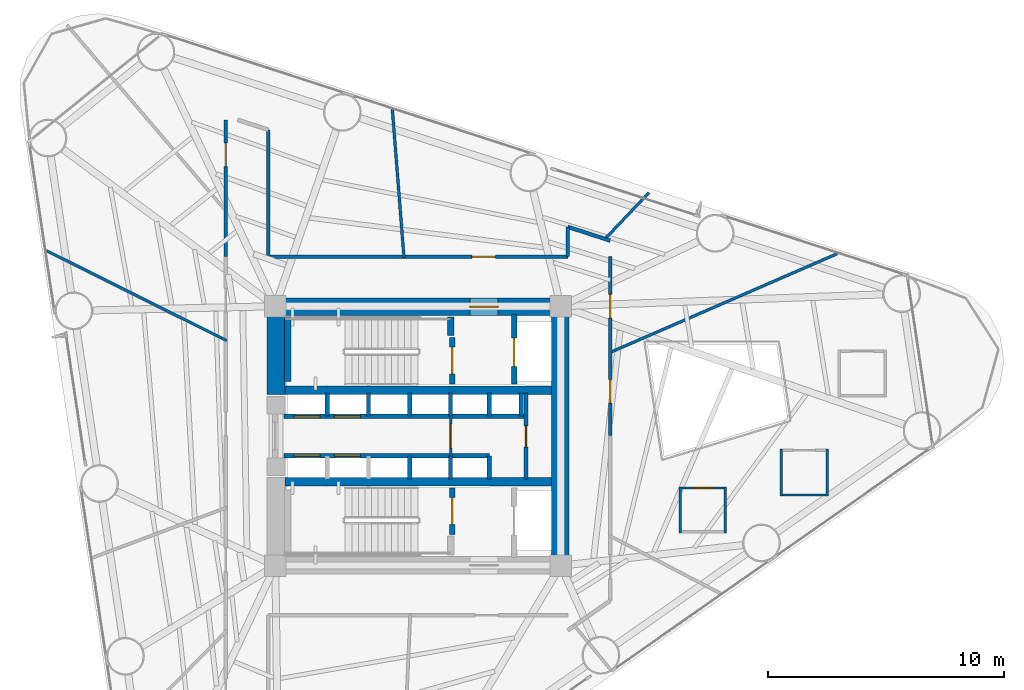
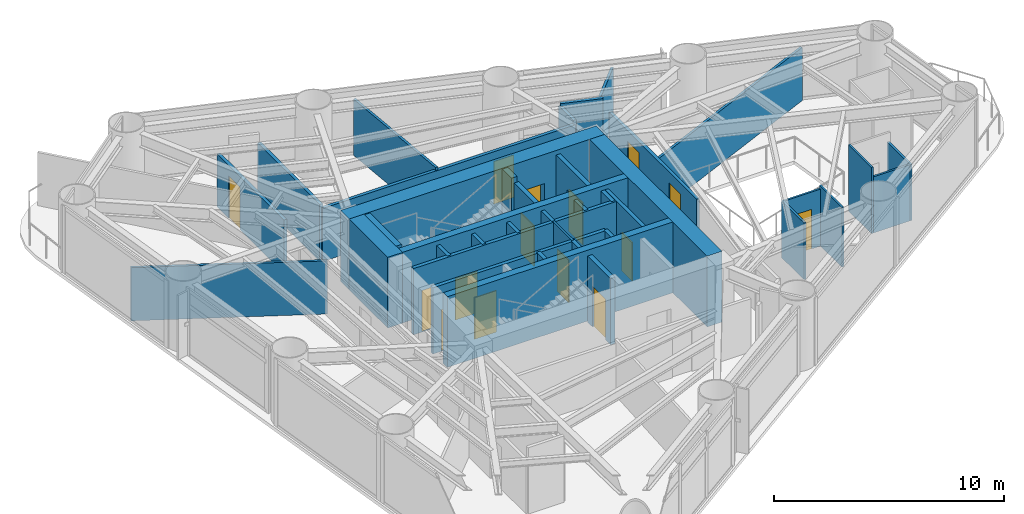
# One storey, part 6 of 9: 39 walls, 15 doors, 15 openings.
"""IFC4 building model written with IfcOpenShell, lengths in metres."""

from ifc_helpers import new_model, si_unit, direction, frame, frame_2d, origin, place, context, subcontext, project, spatial, rectangle, extrude, material, layer, layer_set, type_object, element, fill, save


model = new_model("IFC4")

# Units and contexts
model_context = context("Model", 3, precision=1e-05, world=origin(), true_north=direction((0.0, 1.0)))
body_context = subcontext(model_context, "Body", "Model", "MODEL_VIEW")
ifc_project = project(units=[si_unit("LENGTHUNIT", "METRE"), si_unit("AREAUNIT", "SQUARE_METRE"), si_unit("VOLUMEUNIT", "CUBIC_METRE"), si_unit("PLANEANGLEUNIT", "RADIAN"), si_unit("MASSUNIT", "GRAM", prefix="KILO")], contexts=[model_context])

# Site, building, storey
site_placement = place(None, origin())
site = spatial("IfcSite", under=ifc_project, at=site_placement, CompositionType="ELEMENT")
building_placement = place(site_placement, origin())
building = spatial("IfcBuilding", under=site, at=building_placement, Name="Yunling Apex Tower", CompositionType="ELEMENT")
storey_placement = place(building_placement, frame((0.0, 0.0, 81.050048828125)))
storey = spatial("IfcBuildingStorey", under=building, at=storey_placement, Name="L21", CompositionType="ELEMENT", Elevation=81.050048828125)

# Wall, opening, door
ifc_material_1 = material(Name="Concrete C60", Category="concrete")
ifc_layer_1 = layer(ifc_material_1, 0.75)
ifc_layer_set_1 = layer_set([ifc_layer_1], Name="Concrete C60")
wall_type_1 = type_object("IfcWallType", Name="WL-COR-1", PredefinedType="SHEAR", material=ifc_layer_set_1)
wall_1_placement = place(storey_placement, frame((-6.39990234375, 5.47509765625, 0.0), z_axis=(0.0, 0.0, 1.0), x_axis=(1.0, 0.0, 0.0)))
wall_1 = element("IfcWall", 1, at=wall_1_placement, inside=storey, type_object=wall_type_1, Name="L21 North Core Shear Wall", PredefinedType="SHEAR", context=body_context, shape_type="SweptSolid", body=[
    extrude(rectangle(XDim=12.7998046875, YDim=0.75, at=frame_2d((6.39990234375, 0.0))), origin(), (0.0, 0.0, 1.0), 3.75),
])
opening_1_placement = place(wall_1_placement, frame((8.60009765625, 0.0, 0.0)))
opening_1 = element("IfcOpeningElement", 2, at=opening_1_placement, cuts=wall_1, Name="Opening DR-FFL-1", PredefinedType="OPENING", context=body_context, shape_type="SweptSolid", body=[
    extrude(rectangle(XDim=1.199951171875, YDim=2.199951171875, at=frame_2d((0.60009765625, 1.10009765625))), frame((0.0, 0.385009765625, 0.0), z_axis=(0.0, -1.0, 0.0), x_axis=(1.0, 0.0, 0.0)), (0.0, 0.0, 1.0), 0.77001953125),
])
ifc_material_2 = material(Name="Steel Q355B", Category="steel")
door_type_1 = type_object("IfcDoorType", Name="DR-FFL-1", OperationType="NOTDEFINED", PredefinedType="DOOR", material=ifc_material_2)
door_1_placement = place(opening_1_placement, origin())
door_1 = element("IfcDoor", 3, at=door_1_placement, inside=storey, type_object=door_type_1, Name="L21 North Firefighting Lobby Door", OperationType="SINGLE_SWING_LEFT", OverallHeight=2.199951171875, OverallWidth=1.199951171875, PredefinedType="DOOR", context=body_context, shape_type="SweptSolid", body=[
    extrude(rectangle(XDim=1.199951171875, YDim=2.199951171875, at=frame_2d((0.60009765625, 1.10009765625))), frame((0.0, 0.02490234375, 0.0), z_axis=(0.0, -1.0, 0.0), x_axis=(1.0, 0.0, 0.0)), (0.0, 0.0, 1.0), 0.050048828125),
])
fill(opening_1, door_1)

# Walls
wall_2_placement = place(storey_placement, frame((6.02490234375, -5.10009765625, 0.0), z_axis=(0.0, 0.0, 1.0), x_axis=(0.0, 1.0, 0.0)))
element("IfcWall", 4, at=wall_2_placement, inside=storey, type_object=wall_type_1, Name="L21 East Core Shear Wall", PredefinedType="SHEAR", context=body_context, shape_type="SweptSolid", body=[
    extrude(rectangle(XDim=10.2001953125, YDim=0.75, at=frame_2d((5.10009765625, 0.0))), origin(), (0.0, 0.0, 1.0), 3.75),
])
wall_3_placement = place(storey_placement, frame((-6.02490234375, 1.75, 0.0), z_axis=(0.0, 0.0, 1.0), x_axis=(0.0, 1.0, 0.0)))
element("IfcWall", 5, at=wall_3_placement, inside=storey, type_object=wall_type_1, Name="L21 West-North Core Shear Wall", PredefinedType="SHEAR", context=body_context, shape_type="SweptSolid", body=[
    extrude(rectangle(XDim=3.35009765625, YDim=0.75, at=frame_2d((1.675048828125, 0.0))), origin(), (0.0, 0.0, 1.0), 3.75),
])
ifc_material_3 = material(Name="Concrete C40", Category="concrete")
ifc_layer_2 = layer(ifc_material_3, 0.360107421875)
ifc_layer_set_2 = layer_set([ifc_layer_2], Name="Concrete C40")
wall_type_2 = type_object("IfcWallType", Name="WL-COR-4", PredefinedType="SHEAR", material=ifc_layer_set_2)
for number, where, z_axis, x_axis, name in (
    (6, (-5.64990234375, 1.93994140625, 0.0), (0.0, 0.0, 1.0), (1.0, 0.0, 0.0), "L21 North Internal Core Shear Wall"),
    (7, (-5.64990234375, -1.93994140625, 0.0), (0.0, 0.0, 1.0), (1.0, 0.0, 0.0), "L21 South Internal Core Shear Wall"),
):
    element("IfcWall", number, at=place(storey_placement, frame(where, z_axis=z_axis, x_axis=x_axis)), inside=storey, type_object=wall_type_2, Name=name, PredefinedType="SHEAR", context=body_context, shape_type="SweptSolid", body=[
        extrude(rectangle(XDim=11.2998046875, YDim=0.360107421875, at=frame_2d((5.64990234375, 0.0))), origin(), (0.0, 0.0, 1.0), 3.75),
    ])
ifc_layer_3 = layer(ifc_material_3, 0.280029296875)
ifc_layer_set_3 = layer_set([ifc_layer_3], Name="Concrete C40")
wall_type_3 = type_object("IfcWallType", Name="WL-COR-8", PredefinedType="SHEAR", material=ifc_layer_set_3)
wall_4_placement = place(storey_placement, frame((-5.52001953125, 2.300048828125, 0.0), z_axis=(0.0, 0.0, 1.0), x_axis=(0.0, 1.0, 0.0)))
element("IfcWall", 8, at=wall_4_placement, inside=storey, type_object=wall_type_3, Name="L21 ST-1 West Landing Bearing Wall", PredefinedType="SHEAR", context=body_context, shape_type="SweptSolid", body=[
    extrude(rectangle(XDim=2.75, YDim=0.280029296875, at=frame_2d((1.375, 0.0))), origin(), (0.0, 0.0, 1.0), 3.75),
])
wall_5_placement = place(storey_placement, frame((1.3798828125, 4.25, 0.0), z_axis=(0.0, 0.0, 1.0), x_axis=(0.0, 1.0, 0.0)))
element("IfcWall", 9, at=wall_5_placement, inside=storey, type_object=wall_type_3, Name="L21 ST-1 East Landing Bearing Pier", PredefinedType="SHEAR", context=body_context, shape_type="SweptSolid", body=[
    extrude(rectangle(XDim=0.800048828125, YDim=0.280029296875, at=frame_2d((0.39990234375, 0.0))), origin(), (0.0, 0.0, 1.0), 3.75),
])

# Wall, opening, door
ifc_material_4 = material(Name="Gypsum board acoustic partition")
ifc_layer_4 = layer(ifc_material_4, 0.159912109375)
ifc_layer_set_4 = layer_set([ifc_layer_4], Name="Gypsum board acoustic partition")
wall_type_4 = type_object("IfcWallType", Name="WL-PRT-1", PredefinedType="PARTITIONING", material=ifc_layer_set_4)
wall_6_placement = place(storey_placement, frame((-8.14990234375, 7.60009765625, 0.0), z_axis=(0.0, 0.0, 1.0), x_axis=(0.0, 1.0, 0.0)))
wall_6 = element("IfcWall", 10, at=wall_6_placement, inside=storey, type_object=wall_type_4, Name="WL-CORR-L21-03", PredefinedType="PARTITIONING", context=body_context, shape_type="SweptSolid", body=[
    extrude(rectangle(XDim=5.7998046875, YDim=0.159912109375, at=frame_2d((2.89990234375, 0.0))), origin(), (0.0, 0.0, 1.0), 2.81494140625),
])
opening_2_placement = place(wall_6_placement, frame((3.814697265625, 0.0, 0.0)))
opening_2 = element("IfcOpeningElement", 11, at=opening_2_placement, cuts=wall_6, Name="Opening DR-OFF-1", PredefinedType="OPENING", context=body_context, shape_type="SweptSolid", body=[
    extrude(rectangle(XDim=1.0, YDim=2.25, at=frame_2d((0.5, 1.125))), frame((0.0, 0.08984375, 0.0), z_axis=(0.0, -1.0, 0.0), x_axis=(1.0, 0.0, 0.0)), (0.0, 0.0, 1.0), 0.179931640625),
])
ifc_material_5 = material(Name="Bronze anodised aluminium", Category="aluminium")
door_type_2 = type_object("IfcDoorType", Name="DR-OFF-1", OperationType="NOTDEFINED", PredefinedType="DOOR", material=ifc_material_5)
door_2_placement = place(opening_2_placement, origin())
door_2 = element("IfcDoor", 12, at=door_2_placement, inside=storey, type_object=door_type_2, Name="L21 Staff Fitness Club Door", OperationType="SINGLE_SWING_RIGHT", OverallHeight=2.25, OverallWidth=1.0, PredefinedType="DOOR", context=body_context, shape_type="SweptSolid", body=[
    extrude(rectangle(XDim=1.0, YDim=2.25, at=frame_2d((0.5, 1.125))), frame((0.0, 0.02490234375, 0.0), z_axis=(0.0, -1.0, 0.0), x_axis=(1.0, 0.0, 0.0)), (0.0, 0.0, 1.0), 0.050048828125),
])
fill(opening_2, door_2)

# Wall
wall_7_placement = place(storey_placement, frame((-6.35009765625, 12.9814453125, 0.0), z_axis=(0.0, 0.0, 1.0), x_axis=(0.0, -1.0, 0.0)))
element("IfcWall", 13, at=wall_7_placement, inside=storey, type_object=wall_type_4, Name="WL-CORR-L21-06", PredefinedType="PARTITIONING", context=body_context, shape_type="SweptSolid", body=[
    extrude(rectangle(XDim=5.38134765625, YDim=0.159912109375, at=frame_2d((2.690673828125, 0.0))), origin(), (0.0, 0.0, 1.0), 3.014892578125),
])

# Wall, opening, door
wall_8_placement = place(storey_placement, frame((-6.35009765625, 7.60009765625, 0.0), z_axis=(0.0, 0.0, 1.0), x_axis=(1.0, 0.0, 0.0)))
wall_8 = element("IfcWall", 14, at=wall_8_placement, inside=storey, type_object=wall_type_4, Name="WL-CORR-L21-07", PredefinedType="PARTITIONING", context=body_context, shape_type="SweptSolid", body=[
    extrude(rectangle(XDim=12.7001953125, YDim=0.159912109375, at=frame_2d((6.35009765625, 0.0))), origin(), (0.0, 0.0, 1.0), 2.81494140625),
])
opening_3_placement = place(wall_8_placement, frame((8.62890625, 0.0, 0.0)))
opening_3 = element("IfcOpeningElement", 15, at=opening_3_placement, cuts=wall_8, Name="Opening DR-OFF-1", PredefinedType="OPENING", context=body_context, shape_type="SweptSolid", body=[
    extrude(rectangle(XDim=1.0, YDim=2.25, at=frame_2d((0.5, 1.125))), frame((0.0, 0.08984375, 0.0), z_axis=(0.0, -1.0, 0.0), x_axis=(1.0, 0.0, 0.0)), (0.0, 0.0, 1.0), 0.179931640625),
])
door_3_placement = place(opening_3_placement, origin())
door_3 = element("IfcDoor", 16, at=door_3_placement, inside=storey, type_object=door_type_2, Name="L21 Open Plan Office Door", OperationType="SINGLE_SWING_LEFT", OverallHeight=2.25, OverallWidth=1.0, PredefinedType="DOOR", context=body_context, shape_type="SweptSolid", body=[
    extrude(rectangle(XDim=1.0, YDim=2.25, at=frame_2d((0.5, 1.125))), frame((0.0, 0.02490234375, 0.0), z_axis=(0.0, -1.0, 0.0), x_axis=(1.0, 0.0, 0.0)), (0.0, 0.0, 1.0), 0.050048828125),
])
fill(opening_3, door_3)

# Walls
wall_9_placement = place(storey_placement, frame((6.35009765625, 7.60009765625, 0.0), z_axis=(0.0, 0.0, 1.0), x_axis=(0.0, 1.0, 0.0)))
element("IfcWall", 17, at=wall_9_placement, inside=storey, type_object=wall_type_4, Name="WL-CORR-L21-08", PredefinedType="PARTITIONING", context=body_context, shape_type="SweptSolid", body=[
    extrude(rectangle(XDim=1.2646484375, YDim=0.159912109375, at=frame_2d((0.63232421875, 0.0))), origin(), (0.0, 0.0, 1.0), 3.014892578125),
])
wall_10_placement = place(storey_placement, frame((6.35009765625, 8.86474609375, 0.0), z_axis=(0.0, 0.0, 1.0), x_axis=(0.951257609277, -0.30839740724, 0.0)))
element("IfcWall", 18, at=wall_10_placement, inside=storey, type_object=wall_type_4, Name="WL-CORR-L21-09", PredefinedType="PARTITIONING", context=body_context, shape_type="SweptSolid", body=[
    extrude(rectangle(XDim=1.89208984375, YDim=0.159912109375, at=frame_2d((0.946044921875, 0.0))), origin(), (0.0, 0.0, 1.0), 3.1650390625),
])

# Wall, openings, doors
wall_11_placement = place(storey_placement, frame((8.14990234375, 7.60009765625, 0.0), z_axis=(0.0, 0.0, 1.0), x_axis=(0.0, -1.0, 0.0)))
wall_11 = element("IfcWall", 19, at=wall_11_placement, inside=storey, type_object=wall_type_4, Name="WL-CORR-L21-11", PredefinedType="PARTITIONING", context=body_context, shape_type="SweptSolid", body=[
    extrude(rectangle(XDim=7.580078125, YDim=0.159912109375, at=frame_2d((3.7900390625, 0.0))), origin(), (0.0, 0.0, 1.0), 2.81494140625),
])
opening_4_placement = place(wall_11_placement, frame((1.601318359375, 0.0, 0.0)))
opening_4 = element("IfcOpeningElement", 20, at=opening_4_placement, cuts=wall_11, Name="Opening DR-OFF-1", PredefinedType="OPENING", context=body_context, shape_type="SweptSolid", body=[
    extrude(rectangle(XDim=1.0, YDim=2.25, at=frame_2d((0.5, 1.125))), frame((0.0, 0.08984375, 0.0), z_axis=(0.0, -1.0, 0.0), x_axis=(1.0, 0.0, 0.0)), (0.0, 0.0, 1.0), 0.179931640625),
])
opening_5_placement = place(wall_11_placement, frame((5.208984375, 0.0, 0.0)))
opening_5 = element("IfcOpeningElement", 21, at=opening_5_placement, cuts=wall_11, Name="Opening DR-OFF-1", PredefinedType="OPENING", context=body_context, shape_type="SweptSolid", body=[
    extrude(rectangle(XDim=1.0, YDim=2.25, at=frame_2d((0.5, 1.125))), frame((0.0, 0.08984375, 0.0), z_axis=(0.0, -1.0, 0.0), x_axis=(1.0, 0.0, 0.0)), (0.0, 0.0, 1.0), 0.179931640625),
])
door_4_placement = place(opening_4_placement, origin())
door_4 = element("IfcDoor", 22, at=door_4_placement, inside=storey, type_object=door_type_2, Name="L21 Document Archive Store Door", OperationType="SINGLE_SWING_RIGHT", OverallHeight=2.25, OverallWidth=1.0, PredefinedType="DOOR", context=body_context, shape_type="SweptSolid", body=[
    extrude(rectangle(XDim=1.0, YDim=2.25, at=frame_2d((0.5, 1.125))), frame((0.0, 0.02490234375, 0.0), z_axis=(0.0, -1.0, 0.0), x_axis=(1.0, 0.0, 0.0)), (0.0, 0.0, 1.0), 0.050048828125),
])
fill(opening_4, door_4)
door_5_placement = place(opening_5_placement, origin())
door_5 = element("IfcDoor", 23, at=door_5_placement, inside=storey, type_object=door_type_2, Name="L21 Service Foyer Lounge Door", OperationType="SINGLE_SWING_LEFT", OverallHeight=2.25, OverallWidth=1.0, PredefinedType="DOOR", context=body_context, shape_type="SweptSolid", body=[
    extrude(rectangle(XDim=1.0, YDim=2.25, at=frame_2d((0.5, 1.125))), frame((0.0, 0.02490234375, 0.0), z_axis=(0.0, -1.0, 0.0), x_axis=(1.0, 0.0, 0.0)), (0.0, 0.0, 1.0), 0.050048828125),
])
fill(opening_5, door_5)

# Walls
ifc_layer_5 = layer(ifc_material_4, 0.1201171875)
ifc_layer_set_5 = layer_set([ifc_layer_5], Name="Gypsum board acoustic partition")
wall_type_5 = type_object("IfcWallType", Name="WL-PRT-3", PredefinedType="PARTITIONING", material=ifc_layer_set_5)
wall_12_placement = place(storey_placement, frame((-8.110107421875, 4.04345703125, 0.0), z_axis=(0.0, 0.0, 1.0), x_axis=(-0.894929683648, 0.44620719551, 0.0)))
element("IfcWall", 24, at=wall_12_placement, inside=storey, type_object=wall_type_5, Name="WL-RAD-L21-02", PredefinedType="PARTITIONING", context=body_context, shape_type="SweptSolid", body=[
    extrude(rectangle(XDim=8.54150390625, YDim=0.1201171875, at=frame_2d((4.270751953125, 0.0))), origin(), (0.0, 0.0, 1.0), 2.81494140625),
])
wall_13_placement = place(storey_placement, frame((8.110107421875, 3.5263671875, 0.0), z_axis=(0.0, 0.0, 1.0), x_axis=(0.917062319349, 0.398743905823, 0.0)))
element("IfcWall", 25, at=wall_13_placement, inside=storey, type_object=wall_type_5, Name="WL-RAD-L21-08", PredefinedType="PARTITIONING", context=body_context, shape_type="SweptSolid", body=[
    extrude(rectangle(XDim=10.535400390625, YDim=0.1201171875, at=frame_2d((5.267578125, 0.0))), origin(), (0.0, 0.0, 1.0), 2.81494140625),
])
wall_14_placement = place(storey_placement, frame((7.896728515625, 8.3212890625, 0.0), z_axis=(0.0, 0.0, 1.0), x_axis=(0.688345527251, 0.725382957556, 0.0)))
element("IfcWall", 26, at=wall_14_placement, inside=storey, type_object=wall_type_5, Name="WL-RAD-L21-09", PredefinedType="PARTITIONING", context=body_context, shape_type="SweptSolid", body=[
    extrude(rectangle(XDim=2.748779296875, YDim=0.1201171875, at=frame_2d((1.37451171875, 0.0))), origin(), (0.0, 0.0, 1.0), 2.974853515625),
])
wall_15_placement = place(storey_placement, frame((-0.594970703125, 7.56005859375, 0.0), z_axis=(0.0, 0.0, 1.0), x_axis=(-0.07846535306, 0.996916841251, 0.0)))
element("IfcWall", 27, at=wall_15_placement, inside=storey, type_object=wall_type_5, Name="WL-RAD-L21-10", PredefinedType="PARTITIONING", context=body_context, shape_type="SweptSolid", body=[
    extrude(rectangle(XDim=6.30078125, YDim=0.1201171875, at=frame_2d((3.150390625, 0.0))), origin(), (0.0, 0.0, 1.0), 2.974853515625),
])

# Wall, opening, door
ifc_layer_6 = layer(ifc_material_4, 0.10009765625)
ifc_layer_set_6 = layer_set([ifc_layer_6], Name="Gypsum board acoustic partition")
wall_type_6 = type_object("IfcWallType", Name="WL-PRT-4", PredefinedType="PARTITIONING", material=ifc_layer_set_6)
wall_16_placement = place(storey_placement, frame((1.3798828125, -0.840087890625, 0.0), z_axis=(0.0, 0.0, 1.0), x_axis=(0.0, 1.0, 0.0)))
wall_16 = element("IfcWall", 28, at=wall_16_placement, inside=storey, type_object=wall_type_6, Name="WL-LOB-MID-L21", PredefinedType="PARTITIONING", context=body_context, shape_type="SweptSolid", body=[
    extrude(rectangle(XDim=1.68017578125, YDim=0.10009765625, at=frame_2d((0.840087890625, 0.0))), origin(), (0.0, 0.0, 1.0), 3.510009765625),
])
opening_6_placement = place(wall_16_placement, frame((0.340087890625, 0.0, 0.0)))
opening_6 = element("IfcOpeningElement", 29, at=opening_6_placement, cuts=wall_16, Name="Opening DR-OFF-1", PredefinedType="OPENING", context=body_context, shape_type="SweptSolid", body=[
    extrude(rectangle(XDim=1.0, YDim=2.25, at=frame_2d((0.5, 1.125))), frame((0.0, 0.06005859375, 0.0), z_axis=(0.0, -1.0, 0.0), x_axis=(1.0, 0.0, 0.0)), (0.0, 0.0, 1.0), 0.1201171875),
])
door_6_placement = place(opening_6_placement, origin())
door_6 = element("IfcDoor", 30, at=door_6_placement, inside=storey, type_object=door_type_2, Name="L21 Core Lobby Link Door", OperationType="SINGLE_SWING_LEFT", OverallHeight=2.25, OverallWidth=1.0, PredefinedType="DOOR", context=body_context, shape_type="SweptSolid", body=[
    extrude(rectangle(XDim=1.0, YDim=2.25, at=frame_2d((0.5, 1.125))), frame((0.0, 0.02490234375, 0.0), z_axis=(0.0, -1.0, 0.0), x_axis=(1.0, 0.0, 0.0)), (0.0, 0.0, 1.0), 0.050048828125),
])
fill(opening_6, door_6)

# Walls
wall_17_placement = place(storey_placement, frame((17.39599609375, -2.50390625, 0.0), z_axis=(0.0, 0.0, 1.0), x_axis=(-1.0, 0.0, 0.0)))
element("IfcWall", 31, at=wall_17_placement, inside=storey, type_object=wall_type_6, Name="WL-L21-WCMS", PredefinedType="PARTITIONING", context=body_context, shape_type="SweptSolid", body=[
    extrude(rectangle(XDim=2.050048828125, YDim=0.10009765625, at=frame_2d((1.02490234375, 0.0))), origin(), (0.0, 0.0, 1.0), 2.974853515625),
])
wall_18_placement = place(storey_placement, frame((17.345947265625, -0.553955078125, 0.0), z_axis=(0.0, 0.0, 1.0), x_axis=(0.0, -1.0, 0.0)))
element("IfcWall", 32, at=wall_18_placement, inside=storey, type_object=wall_type_6, Name="WL-L21-WCME", PredefinedType="PARTITIONING", context=body_context, shape_type="SweptSolid", body=[
    extrude(rectangle(XDim=2.0, YDim=0.10009765625, at=frame_2d((1.0, 0.0))), origin(), (0.0, 0.0, 1.0), 2.974853515625),
])
wall_19_placement = place(storey_placement, frame((15.39599609375, -2.553955078125, 0.0), z_axis=(0.0, 0.0, 1.0), x_axis=(0.0, 1.0, 0.0)))
element("IfcWall", 33, at=wall_19_placement, inside=storey, type_object=wall_type_6, Name="WL-L21-WCMW", PredefinedType="PARTITIONING", context=body_context, shape_type="SweptSolid", body=[
    extrude(rectangle(XDim=2.0, YDim=0.10009765625, at=frame_2d((1.0, 0.0))), origin(), (0.0, 0.0, 1.0), 3.510009765625),
])

# Wall, opening, door
wall_20_placement = place(storey_placement, frame((11.070068359375, -2.2060546875, 0.0), z_axis=(0.0, 0.0, 1.0), x_axis=(1.0, 0.0, 0.0)))
wall_20 = element("IfcWall", 34, at=wall_20_placement, inside=storey, type_object=wall_type_6, Name="WL-L21-WCAN", PredefinedType="PARTITIONING", context=body_context, shape_type="SweptSolid", body=[
    extrude(rectangle(XDim=2.0, YDim=0.10009765625, at=frame_2d((1.0, 0.0))), origin(), (0.0, 0.0, 1.0), 3.014892578125),
])
opening_7_placement = place(wall_20_placement, frame((0.5400390625, 0.0, 0.0)))
opening_7 = element("IfcOpeningElement", 35, at=opening_7_placement, cuts=wall_20, Name="Opening DR-WC-1", PredefinedType="OPENING", context=body_context, shape_type="SweptSolid", body=[
    extrude(rectangle(XDim=0.919921875, YDim=2.10009765625, at=frame_2d((0.4599609375, 1.050048828125))), frame((0.0, 0.06005859375, 0.0), z_axis=(0.0, -1.0, 0.0), x_axis=(1.0, 0.0, 0.0)), (0.0, 0.0, 1.0), 0.1201171875),
])
ifc_material_6 = material(Name="Timber moisture-resistant leaf", Category="wood")
door_type_3 = type_object("IfcDoorType", Name="DR-WC-1", OperationType="NOTDEFINED", PredefinedType="DOOR", material=ifc_material_6)
door_7_placement = place(opening_7_placement, origin())
door_7 = element("IfcDoor", 36, at=door_7_placement, inside=storey, type_object=door_type_3, Name="L21 Accessible WC Door", OperationType="SINGLE_SWING_LEFT", OverallHeight=2.10009765625, OverallWidth=0.919921875, PredefinedType="DOOR", context=body_context, shape_type="SweptSolid", body=[
    extrude(rectangle(XDim=0.919921875, YDim=2.10009765625, at=frame_2d((0.4599609375, 1.050048828125))), frame((0.0, 0.02490234375, 0.0), z_axis=(0.0, -1.0, 0.0), x_axis=(1.0, 0.0, 0.0)), (0.0, 0.0, 1.0), 0.050048828125),
])
fill(opening_7, door_7)

# Walls
wall_21_placement = place(storey_placement, frame((13.02001953125, -2.156005859375, 0.0), z_axis=(0.0, 0.0, 1.0), x_axis=(0.0, -1.0, 0.0)))
element("IfcWall", 37, at=wall_21_placement, inside=storey, type_object=wall_type_6, Name="WL-L21-WCAE", PredefinedType="PARTITIONING", context=body_context, shape_type="SweptSolid", body=[
    extrude(rectangle(XDim=1.949951171875, YDim=0.10009765625, at=frame_2d((0.97509765625, 0.0))), origin(), (0.0, 0.0, 1.0), 3.1650390625),
])
wall_22_placement = place(storey_placement, frame((11.1201171875, -4.10595703125, 0.0), z_axis=(0.0, 0.0, 1.0), x_axis=(0.0, 1.0, 0.0)))
element("IfcWall", 38, at=wall_22_placement, inside=storey, type_object=wall_type_6, Name="WL-L21-WCAW", PredefinedType="PARTITIONING", context=body_context, shape_type="SweptSolid", body=[
    extrude(rectangle(XDim=1.949951171875, YDim=0.10009765625, at=frame_2d((0.97509765625, 0.0))), origin(), (0.0, 0.0, 1.0), 3.014892578125),
])

# Wall, opening, door
ifc_material_7 = material(Name="Autoclaved aerated concrete masonry", Category="masonry")
ifc_layer_7 = layer(ifc_material_7, 0.219970703125)
ifc_layer_set_7 = layer_set([ifc_layer_7], Name="Autoclaved aerated concrete masonry")
wall_type_7 = type_object("IfcWallType", Name="WL-SHF-1", PredefinedType="PLUMBINGWALL", material=ifc_layer_set_7)
wall_23_placement = place(storey_placement, frame((1.449951171875, 2.199951171875, 0.0), z_axis=(0.0, 0.0, 1.0), x_axis=(0.0, 1.0, 0.0)))
wall_23 = element("IfcWall", 39, at=wall_23_placement, inside=storey, type_object=wall_type_7, Name="WL-ST1-E-L21", PredefinedType="PLUMBINGWALL", context=body_context, shape_type="SweptSolid", body=[
    extrude(rectangle(XDim=1.97998046875, YDim=0.219970703125, at=frame_2d((0.989990234375, 0.0))), origin(), (0.0, 0.0, 1.0), 3.510009765625),
])
opening_8_placement = place(wall_23_placement, frame((0.419921875, 0.0, 0.0)))
opening_8 = element("IfcOpeningElement", 40, at=opening_8_placement, cuts=wall_23, Name="Opening DR-ST-1", PredefinedType="OPENING", context=body_context, shape_type="SweptSolid", body=[
    extrude(rectangle(XDim=1.14990234375, YDim=2.14990234375, at=frame_2d((0.574951171875, 1.074951171875))), frame((0.0, 0.1201171875, 0.0), z_axis=(0.0, -1.0, 0.0), x_axis=(1.0, 0.0, 0.0)), (0.0, 0.0, 1.0), 0.239990234375),
])
door_type_4 = type_object("IfcDoorType", Name="DR-ST-1", OperationType="NOTDEFINED", PredefinedType="DOOR", material=ifc_material_2)
door_8_placement = place(opening_8_placement, origin())
door_8 = element("IfcDoor", 41, at=door_8_placement, inside=storey, type_object=door_type_4, Name="L21 Stair ST-1 Fire Door", OperationType="SINGLE_SWING_LEFT", OverallHeight=2.14990234375, OverallWidth=1.14990234375, PredefinedType="DOOR", context=body_context, shape_type="SweptSolid", body=[
    extrude(rectangle(XDim=1.14990234375, YDim=2.14990234375, at=frame_2d((0.574951171875, 1.074951171875))), frame((0.0, 0.02490234375, 0.0), z_axis=(0.0, -1.0, 0.0), x_axis=(1.0, 0.0, 0.0)), (0.0, 0.0, 1.0), 0.050048828125),
])
fill(opening_8, door_8)

wall_24_placement = place(storey_placement, frame((4.080078125, 2.199951171875, 0.0), z_axis=(0.0, 0.0, 1.0), x_axis=(0.0, 1.0, 0.0)))
wall_24 = element("IfcWall", 42, at=wall_24_placement, inside=storey, type_object=wall_type_7, Name="WL-FFL1-W-L21", PredefinedType="PLUMBINGWALL", context=body_context, shape_type="SweptSolid", body=[
    extrude(rectangle(XDim=2.949951171875, YDim=0.219970703125, at=frame_2d((1.47509765625, 0.0))), origin(), (0.0, 0.0, 1.0), 3.510009765625),
])
opening_9_placement = place(wall_24_placement, frame((0.75, 0.0, 0.0)))
opening_9 = element("IfcOpeningElement", 43, at=opening_9_placement, cuts=wall_24, Name="Opening LD-FFL-1", PredefinedType="OPENING", context=body_context, shape_type="SweptSolid", body=[
    extrude(rectangle(XDim=1.199951171875, YDim=2.25, at=frame_2d((0.60009765625, 1.125))), frame((0.0, 0.1201171875, 0.0), z_axis=(0.0, -1.0, 0.0), x_axis=(1.0, 0.0, 0.0)), (0.0, 0.0, 1.0), 0.239990234375),
])
door_type_5 = type_object("IfcDoorType", Name="LD-FFL-1", OperationType="DOUBLE_DOOR_SLIDING", PredefinedType="DOOR", material=ifc_material_2)
door_9_placement = place(opening_9_placement, origin())
door_9 = element("IfcDoor", 44, at=door_9_placement, inside=storey, type_object=door_type_5, Name="L21 Lift FFL-1 Landing Door", OperationType="DOUBLE_DOOR_SLIDING", OverallHeight=2.25, OverallWidth=1.199951171875, PredefinedType="DOOR", context=body_context, shape_type="SweptSolid", body=[
    extrude(rectangle(XDim=1.199951171875, YDim=2.25, at=frame_2d((0.60009765625, 1.125))), frame((0.0, 0.02490234375, 0.0), z_axis=(0.0, -1.0, 0.0), x_axis=(1.0, 0.0, 0.0)), (0.0, 0.0, 1.0), 0.050048828125),
])
fill(opening_9, door_9)

wall_25_placement = place(storey_placement, frame((1.449951171875, -4.179931640625, 0.0), z_axis=(0.0, 0.0, 1.0), x_axis=(0.0, 1.0, 0.0)))
wall_25 = element("IfcWall", 45, at=wall_25_placement, inside=storey, type_object=wall_type_7, Name="WL-ST2-E-L21", PredefinedType="PLUMBINGWALL", context=body_context, shape_type="SweptSolid", body=[
    extrude(rectangle(XDim=1.97998046875, YDim=0.219970703125, at=frame_2d((0.989990234375, 0.0))), origin(), (0.0, 0.0, 1.0), 3.510009765625),
])
opening_10_placement = place(wall_25_placement, frame((0.419921875, 0.0, 0.0)))
opening_10 = element("IfcOpeningElement", 46, at=opening_10_placement, cuts=wall_25, Name="Opening DR-ST-1", PredefinedType="OPENING", context=body_context, shape_type="SweptSolid", body=[
    extrude(rectangle(XDim=1.14990234375, YDim=2.14990234375, at=frame_2d((0.574951171875, 1.074951171875))), frame((0.0, 0.1201171875, 0.0), z_axis=(0.0, -1.0, 0.0), x_axis=(1.0, 0.0, 0.0)), (0.0, 0.0, 1.0), 0.239990234375),
])
door_10_placement = place(opening_10_placement, origin())
door_10 = element("IfcDoor", 47, at=door_10_placement, inside=storey, type_object=door_type_4, Name="L21 Stair ST-2 Fire Door", OperationType="SINGLE_SWING_RIGHT", OverallHeight=2.14990234375, OverallWidth=1.14990234375, PredefinedType="DOOR", context=body_context, shape_type="SweptSolid", body=[
    extrude(rectangle(XDim=1.14990234375, YDim=2.14990234375, at=frame_2d((0.574951171875, 1.074951171875))), frame((0.0, 0.02490234375, 0.0), z_axis=(0.0, -1.0, 0.0), x_axis=(1.0, 0.0, 0.0)), (0.0, 0.0, 1.0), 0.050048828125),
])
fill(opening_10, door_10)

# Walls
ifc_layer_8 = layer(ifc_material_7, 0.179931640625)
ifc_layer_set_8 = layer_set([ifc_layer_8], Name="Autoclaved aerated concrete masonry")
wall_type_8 = type_object("IfcWallType", Name="WL-SHF-2", PredefinedType="PLUMBINGWALL", material=ifc_layer_set_8)
for number, where, z_axis, x_axis, name in (
    (48, (-3.85009765625, 0.840087890625, 0.0), (0.0, 0.0, 1.0), (0.0, 1.0, 0.0), "WL-DIV-L12-L21"),
    (49, (-2.10009765625, 0.840087890625, 0.0), (0.0, 0.0, 1.0), (0.0, 1.0, 0.0), "WL-BNK-LM-N-L21"),
    (50, (-0.35009765625, 0.840087890625, 0.0), (0.0, 0.0, 1.0), (0.0, 1.0, 0.0), "WL-DIV-M12-L21"),
    (51, (-0.35009765625, -1.820068359375, 0.0), (0.0, 0.0, 1.0), (0.0, 1.0, 0.0), "WL-DIV-M34-L21"),
    (52, (1.3798828125, 0.840087890625, 0.0), (0.0, 0.0, 1.0), (0.0, 1.0, 0.0), "WL-BNK-MH-N-L21"),
    (53, (1.3798828125, -1.820068359375, 0.0), (0.0, 0.0, 1.0), (0.0, 1.0, 0.0), "WL-BNK-MH-S-L21"),
    (54, (3.02001953125, 0.840087890625, 0.0), (0.0, 0.0, 1.0), (0.0, 1.0, 0.0), "WL-DIV-H13-L21"),
    (55, (4.3798828125, 0.840087890625, 0.0), (0.0, 0.0, 1.0), (0.0, 1.0, 0.0), "WL-END-H3E-L21"),
    (56, (3.02001953125, -1.820068359375, 0.0), (0.0, 0.0, 1.0), (0.0, 1.0, 0.0), "WL-END-H2E-L21"),
):
    element("IfcWall", number, at=place(storey_placement, frame(where, z_axis=z_axis, x_axis=x_axis)), inside=storey, type_object=wall_type_8, Name=name, PredefinedType="PLUMBINGWALL", context=body_context, shape_type="SweptSolid", body=[
        extrude(rectangle(XDim=0.97998046875, YDim=0.179931640625, at=frame_2d((0.489990234375, 0.0))), origin(), (0.0, 0.0, 1.0), 3.510009765625),
    ])

# Wall, opening, door
wall_26_placement = place(storey_placement, frame((4.580078125, -1.820068359375, 0.0), z_axis=(0.0, 0.0, 1.0), x_axis=(0.0, 1.0, 0.0)))
wall_26 = element("IfcWall", 57, at=wall_26_placement, inside=storey, type_object=wall_type_8, Name="WL-KBE-W-L21", PredefinedType="PLUMBINGWALL", context=body_context, shape_type="SweptSolid", body=[
    extrude(rectangle(XDim=3.64013671875, YDim=0.179931640625, at=frame_2d((1.820068359375, 0.0))), origin(), (0.0, 0.0, 1.0), 3.510009765625),
])
opening_11_placement = place(wall_26_placement, frame((1.35009765625, 0.0, 0.0)))
opening_11 = element("IfcOpeningElement", 58, at=opening_11_placement, cuts=wall_26, Name="Opening DR-SHF-1", PredefinedType="OPENING", context=body_context, shape_type="SweptSolid", body=[
    extrude(rectangle(XDim=0.89990234375, YDim=2.050048828125, at=frame_2d((0.449951171875, 1.02490234375))), frame((0.0, 0.10009765625, 0.0), z_axis=(0.0, -1.0, 0.0), x_axis=(1.0, 0.0, 0.0)), (0.0, 0.0, 1.0), 0.199951171875),
])
door_type_6 = type_object("IfcDoorType", Name="DR-SHF-1", OperationType="NOTDEFINED", PredefinedType="DOOR", material=ifc_material_2)
door_11_placement = place(opening_11_placement, origin())
door_11 = element("IfcDoor", 59, at=door_11_placement, inside=storey, type_object=door_type_6, Name="L21 Core Meter Room Door", OperationType="SINGLE_SWING_RIGHT", OverallHeight=2.050048828125, OverallWidth=0.89990234375, PredefinedType="DOOR", context=body_context, shape_type="SweptSolid", body=[
    extrude(rectangle(XDim=0.89990234375, YDim=2.050048828125, at=frame_2d((0.449951171875, 1.02490234375))), frame((0.0, 0.02490234375, 0.0), z_axis=(0.0, -1.0, 0.0), x_axis=(1.0, 0.0, 0.0)), (0.0, 0.0, 1.0), 0.050048828125),
])
fill(opening_11, door_11)

# Wall, openings, doors
wall_27_placement = place(storey_placement, frame((-5.679931640625, 0.840087890625, 0.0), z_axis=(0.0, 0.0, 1.0), x_axis=(1.0, 0.0, 0.0)))
wall_27 = element("IfcWall", 60, at=wall_27_placement, inside=storey, type_object=wall_type_8, Name="WL-LOB-N-L21", PredefinedType="PLUMBINGWALL", context=body_context, shape_type="SweptSolid", body=[
    extrude(rectangle(XDim=10.260009765625, YDim=0.179931640625, at=frame_2d((5.1298828125, 0.0))), origin(), (0.0, 0.0, 1.0), 3.510009765625),
])
opening_12_placement = place(wall_27_placement, frame((0.429931640625, 0.0, 0.0)))
opening_12 = element("IfcOpeningElement", 61, at=opening_12_placement, cuts=wall_27, Name="Opening LD-PAS-1", PredefinedType="OPENING", context=body_context, shape_type="SweptSolid", body=[
    extrude(rectangle(XDim=1.10009765625, YDim=2.199951171875, at=frame_2d((0.550048828125, 1.10009765625))), frame((0.0, 0.10009765625, 0.0), z_axis=(0.0, -1.0, 0.0), x_axis=(1.0, 0.0, 0.0)), (0.0, 0.0, 1.0), 0.199951171875),
])
opening_13_placement = place(wall_27_placement, frame((2.1298828125, 0.0, 0.0)))
opening_13 = element("IfcOpeningElement", 62, at=opening_13_placement, cuts=wall_27, Name="Opening LD-PAS-1", PredefinedType="OPENING", context=body_context, shape_type="SweptSolid", body=[
    extrude(rectangle(XDim=1.10009765625, YDim=2.199951171875, at=frame_2d((0.550048828125, 1.10009765625))), frame((0.0, 0.10009765625, 0.0), z_axis=(0.0, -1.0, 0.0), x_axis=(1.0, 0.0, 0.0)), (0.0, 0.0, 1.0), 0.199951171875),
])
ifc_material_8 = material(Name="Silver anodised aluminium", Category="aluminium")
door_type_7 = type_object("IfcDoorType", Name="LD-PAS-1", OperationType="DOUBLE_DOOR_SLIDING", PredefinedType="DOOR", material=ifc_material_8)
door_12_placement = place(opening_12_placement, origin())
door_12 = element("IfcDoor", 63, at=door_12_placement, inside=storey, type_object=door_type_7, Name="L21 Lift PL-L1 Landing Door", OperationType="DOUBLE_DOOR_SLIDING", OverallHeight=2.199951171875, OverallWidth=1.10009765625, PredefinedType="DOOR", context=body_context, shape_type="SweptSolid", body=[
    extrude(rectangle(XDim=1.10009765625, YDim=2.199951171875, at=frame_2d((0.550048828125, 1.10009765625))), frame((0.0, 0.02490234375, 0.0), z_axis=(0.0, -1.0, 0.0), x_axis=(1.0, 0.0, 0.0)), (0.0, 0.0, 1.0), 0.050048828125),
])
fill(opening_12, door_12)
door_13_placement = place(opening_13_placement, origin())
door_13 = element("IfcDoor", 64, at=door_13_placement, inside=storey, type_object=door_type_7, Name="L21 Lift PL-L2 Landing Door", OperationType="DOUBLE_DOOR_SLIDING", OverallHeight=2.199951171875, OverallWidth=1.10009765625, PredefinedType="DOOR", context=body_context, shape_type="SweptSolid", body=[
    extrude(rectangle(XDim=1.10009765625, YDim=2.199951171875, at=frame_2d((0.550048828125, 1.10009765625))), frame((0.0, 0.02490234375, 0.0), z_axis=(0.0, -1.0, 0.0), x_axis=(1.0, 0.0, 0.0)), (0.0, 0.0, 1.0), 0.050048828125),
])
fill(opening_13, door_13)

wall_28_placement = place(storey_placement, frame((-5.679931640625, -0.840087890625, 0.0), z_axis=(0.0, 0.0, 1.0), x_axis=(1.0, 0.0, 0.0)))
wall_28 = element("IfcWall", 65, at=wall_28_placement, inside=storey, type_object=wall_type_8, Name="WL-LOB-S-L21", PredefinedType="PLUMBINGWALL", context=body_context, shape_type="SweptSolid", body=[
    extrude(rectangle(XDim=8.699951171875, YDim=0.179931640625, at=frame_2d((4.35009765625, 0.0))), origin(), (0.0, 0.0, 1.0), 3.510009765625),
])
opening_14_placement = place(wall_28_placement, frame((0.429931640625, 0.0, 0.0)))
opening_14 = element("IfcOpeningElement", 66, at=opening_14_placement, cuts=wall_28, Name="Opening LD-PAS-1", PredefinedType="OPENING", context=body_context, shape_type="SweptSolid", body=[
    extrude(rectangle(XDim=1.10009765625, YDim=2.199951171875, at=frame_2d((0.550048828125, 1.10009765625))), frame((0.0, 0.10009765625, 0.0), z_axis=(0.0, -1.0, 0.0), x_axis=(1.0, 0.0, 0.0)), (0.0, 0.0, 1.0), 0.199951171875),
])
opening_15_placement = place(wall_28_placement, frame((2.1298828125, 0.0, 0.0)))
opening_15 = element("IfcOpeningElement", 67, at=opening_15_placement, cuts=wall_28, Name="Opening LD-PAS-1", PredefinedType="OPENING", context=body_context, shape_type="SweptSolid", body=[
    extrude(rectangle(XDim=1.10009765625, YDim=2.199951171875, at=frame_2d((0.550048828125, 1.10009765625))), frame((0.0, 0.10009765625, 0.0), z_axis=(0.0, -1.0, 0.0), x_axis=(1.0, 0.0, 0.0)), (0.0, 0.0, 1.0), 0.199951171875),
])
door_14_placement = place(opening_14_placement, origin())
door_14 = element("IfcDoor", 68, at=door_14_placement, inside=storey, type_object=door_type_7, Name="L21 Lift PL-L3 Landing Door", OperationType="DOUBLE_DOOR_SLIDING", OverallHeight=2.199951171875, OverallWidth=1.10009765625, PredefinedType="DOOR", context=body_context, shape_type="SweptSolid", body=[
    extrude(rectangle(XDim=1.10009765625, YDim=2.199951171875, at=frame_2d((0.550048828125, 1.10009765625))), frame((0.0, 0.02490234375, 0.0), z_axis=(0.0, -1.0, 0.0), x_axis=(1.0, 0.0, 0.0)), (0.0, 0.0, 1.0), 0.050048828125),
])
fill(opening_14, door_14)
door_15_placement = place(opening_15_placement, origin())
door_15 = element("IfcDoor", 69, at=door_15_placement, inside=storey, type_object=door_type_7, Name="L21 Lift PL-L4 Landing Door", OperationType="DOUBLE_DOOR_SLIDING", OverallHeight=2.199951171875, OverallWidth=1.10009765625, PredefinedType="DOOR", context=body_context, shape_type="SweptSolid", body=[
    extrude(rectangle(XDim=1.10009765625, YDim=2.199951171875, at=frame_2d((0.550048828125, 1.10009765625))), frame((0.0, 0.02490234375, 0.0), z_axis=(0.0, -1.0, 0.0), x_axis=(1.0, 0.0, 0.0)), (0.0, 0.0, 1.0), 0.050048828125),
])
fill(opening_15, door_15)

save(model, "model.ifc")
